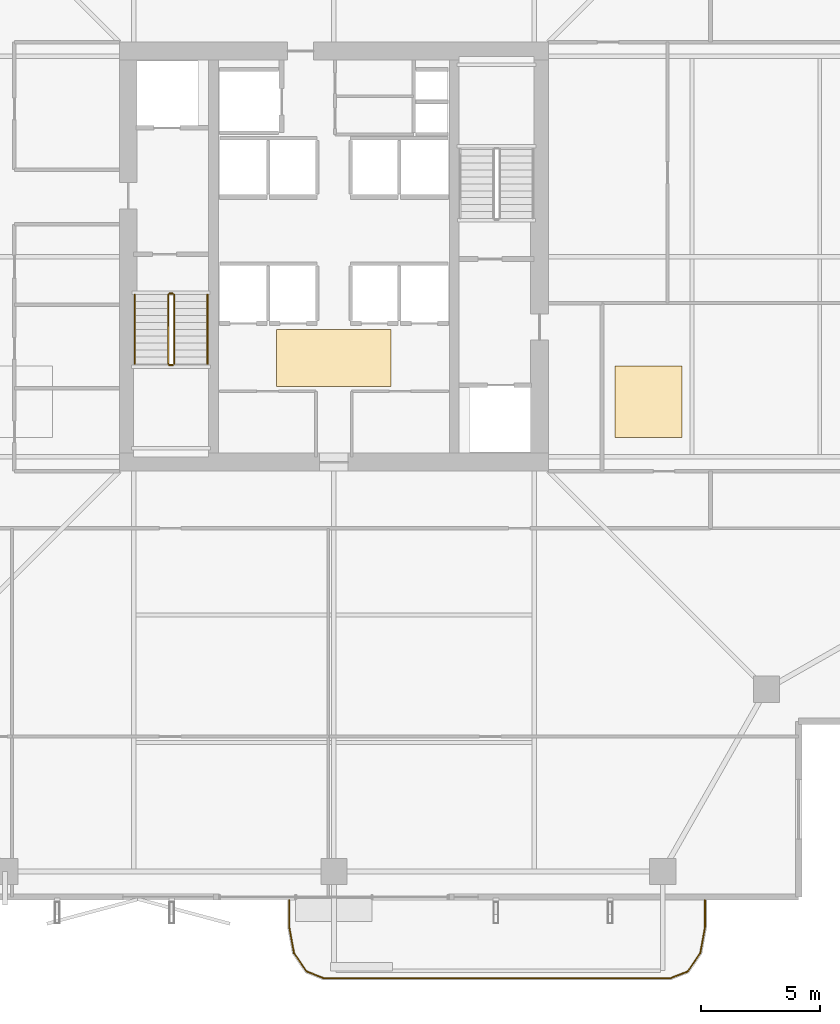
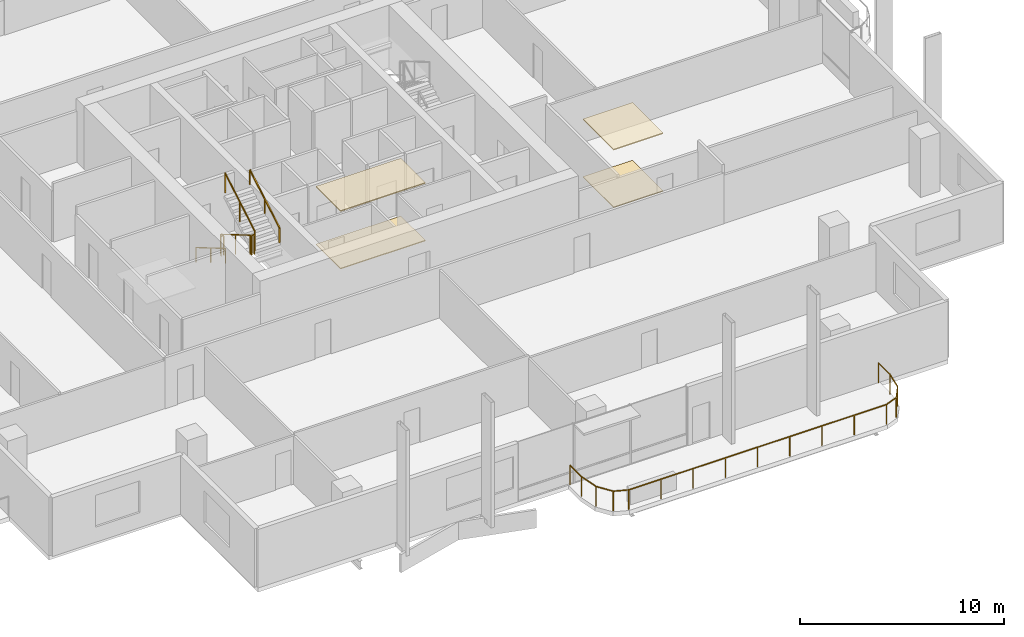
# One storey, part 22 of 24: 7 railings, 4 coverings.
"""IFC4 building model written with IfcOpenShell, lengths in metres."""

from ifc_helpers import new_model, si_unit, direction, frame, origin, origin_2d, place, context, subcontext, project, spatial, polyline, rectangle, outline, extrude, material, layer, layer_set, type_object, element, save


model = new_model("IFC4")

# Units and contexts
model_context = context("Model", 3, precision=1e-05, world=origin(), true_north=direction((0.0, 1.0)))
body_context = subcontext(model_context, "Body", "Model", "MODEL_VIEW")
ifc_project = project(units=[si_unit("LENGTHUNIT", "METRE"), si_unit("AREAUNIT", "SQUARE_METRE"), si_unit("VOLUMEUNIT", "CUBIC_METRE"), si_unit("PLANEANGLEUNIT", "RADIAN"), si_unit("MASSUNIT", "GRAM", prefix="KILO")], contexts=[model_context])

# Site, building, storey
site_placement = place(None, origin())
site = spatial("IfcSite", under=ifc_project, at=site_placement, CompositionType="ELEMENT")
building_placement = place(site_placement, origin())
building = spatial("IfcBuilding", under=site, at=building_placement, Name="Belovzor Exchange Tower", CompositionType="ELEMENT")
storey_placement = place(building_placement, frame((0.0, 0.0, 211.199951171875)))
storey = spatial("IfcBuildingStorey", under=building, at=storey_placement, Name="L52", CompositionType="ELEMENT", Elevation=211.199951171875)

# Railings
ifc_material_1 = material(Name="Stainless Steel Grade 304", Category="steel")
railing_type_1 = type_object("IfcRailingType", Name="Brushed Stainless Steel Stair Handrail 900", PredefinedType="HANDRAIL", material=ifc_material_1)
railing_1_placement = place(storey_placement, frame((20.449951171875, 27.199951171875, 0.17041015625)))
element("IfcRailing", 1, at=railing_1_placement, inside=storey, type_object=railing_type_1, Name="L52 ST-1 stair handrail 1", PredefinedType="HANDRAIL", context=body_context, shape_type="SweptSolid", body=[
    extrude(rectangle(XDim=0.048095703125, YDim=0.048095703125, at=origin_2d()), frame((0.0, 0.0, 0.8759765625), z_axis=(0.0, -0.86209462966, 0.506747323142), x_axis=(1.0, 0.0, 0.0)), (0.0, 0.0, 1.0), 3.36376953125),
    extrude(rectangle(XDim=0.0419921875, YDim=0.0419921875, at=origin_2d()), origin(), (0.0, 0.0, 1.0), 0.851806640625),
    extrude(rectangle(XDim=0.0419921875, YDim=0.0419921875, at=origin_2d()), frame((0.0, -1.449951171875, 0.852294921875)), (0.0, 0.0, 1.0), 0.851806640625),
    extrude(rectangle(XDim=0.0419921875, YDim=0.0419921875, at=origin_2d()), frame((0.0, -2.89990234375, 1.70458984375)), (0.0, 0.0, 1.0), 0.851806640625),
])
railing_2_placement = place(storey_placement, frame((23.5, 24.300048828125, 2.04541015625)))
element("IfcRailing", 2, at=railing_2_placement, inside=storey, type_object=railing_type_1, Name="L52 ST-1 stair handrail 2", PredefinedType="HANDRAIL", context=body_context, shape_type="SweptSolid", body=[
    extrude(rectangle(XDim=0.048095703125, YDim=0.048095703125, at=origin_2d()), frame((0.0, 0.0, 0.8759765625), z_axis=(0.0, 0.86209462966, 0.506747323142), x_axis=(-1.0, 0.0, 0.0)), (0.0, 0.0, 1.0), 3.36376953125),
    extrude(rectangle(XDim=0.0419921875, YDim=0.0419921875, at=origin_2d()), origin(), (0.0, 0.0, 1.0), 0.851806640625),
    extrude(rectangle(XDim=0.0419921875, YDim=0.0419921875, at=origin_2d()), frame((0.0, 1.449951171875, 0.852294921875)), (0.0, 0.0, 1.0), 0.851806640625),
    extrude(rectangle(XDim=0.0419921875, YDim=0.0419921875, at=origin_2d()), frame((0.0, 2.89990234375, 1.70458984375)), (0.0, 0.0, 1.0), 0.851806640625),
])
ifc_material_2 = material(Name="Stainless Steel and Laminated Safety Glass", Category="steel")
railing_type_2 = type_object("IfcRailingType", Name="Laminated Glass & Stainless Steel Balcony Balustrade 1200", PredefinedType="BALUSTRADE", material=ifc_material_2)
railing_3_placement = place(storey_placement, frame((26.929931640625, 1.7900390625, 0.0)))
element("IfcRailing", 3, at=railing_3_placement, inside=storey, type_object=railing_type_2, Name="GR-1 Balcony Balustrade L52 South", PredefinedType="BALUSTRADE", context=body_context, shape_type="SweptSolid", body=[
    extrude(rectangle(XDim=0.048095703125, YDim=0.048095703125, at=origin_2d()), frame((0.0, 0.0, 1.17578125), z_axis=(0.0, -1.0, 0.0), x_axis=(1.0, 0.0, 0.0)), (0.0, 0.0, 1.0), 1.133056640625),
    extrude(rectangle(XDim=0.048095703125, YDim=0.048095703125, at=origin_2d()), frame((0.0, -1.133056640625, 1.17578125), z_axis=(0.180122719713, -0.983644145941, 0.0), x_axis=(0.983644145941, 0.180122719713, 0.0)), (0.0, 0.0, 1.0), 1.09375),
    extrude(rectangle(XDim=0.048095703125, YDim=0.048095703125, at=origin_2d()), frame((0.197021484375, -2.208984375, 1.17578125), z_axis=(0.56294695933, -0.826493025367, 0.0), x_axis=(0.826493025367, 0.56294695933, 0.0)), (0.0, 0.0, 1.0), 0.932861328125),
    extrude(rectangle(XDim=0.048095703125, YDim=0.048095703125, at=origin_2d()), frame((0.72216796875, -2.97998046875, 1.17578125), z_axis=(0.930766990125, -0.365612923861, 0.0), x_axis=(0.365612923861, 0.930766990125, 0.0)), (0.0, 0.0, 1.0), 0.765869140625),
    extrude(rectangle(XDim=0.048095703125, YDim=0.048095703125, at=origin_2d()), frame((1.43505859375, -3.260009765625, 1.17578125), z_axis=(1.0, 0.0, 0.0), x_axis=(0.0, 1.0, 0.0)), (0.0, 0.0, 1.0), 14.570068359375),
    extrude(rectangle(XDim=0.048095703125, YDim=0.048095703125, at=origin_2d()), frame((16.005126953125, -3.260009765625, 1.17578125), z_axis=(0.930766990125, 0.365612923861, 0.0), x_axis=(-0.365612923861, 0.930766990125, 0.0)), (0.0, 0.0, 1.0), 0.765869140625),
    extrude(rectangle(XDim=0.048095703125, YDim=0.048095703125, at=origin_2d()), frame((16.718017578125, -2.97998046875, 1.17578125), z_axis=(0.56294695933, 0.826493025367, 0.0), x_axis=(-0.826493025367, 0.56294695933, 0.0)), (0.0, 0.0, 1.0), 0.932861328125),
    extrude(rectangle(XDim=0.048095703125, YDim=0.048095703125, at=origin_2d()), frame((17.2431640625, -2.208984375, 1.17578125), z_axis=(0.180122719713, 0.983644145941, 0.0), x_axis=(-0.983644145941, 0.180122719713, 0.0)), (0.0, 0.0, 1.0), 1.09375),
    extrude(rectangle(XDim=0.048095703125, YDim=0.048095703125, at=origin_2d()), frame((17.440185546875, -1.133056640625, 1.17578125), z_axis=(0.0, 1.0, 0.0), x_axis=(-1.0, 0.0, 0.0)), (0.0, 0.0, 1.0), 1.133056640625),
    extrude(rectangle(XDim=0.0419921875, YDim=0.0419921875, at=origin_2d()), origin(), (0.0, 0.0, 1.0), 1.15185546875),
    extrude(rectangle(XDim=0.0419921875, YDim=0.0419921875, at=origin_2d()), frame((0.0, -1.133056640625, 0.0)), (0.0, 0.0, 1.0), 1.15185546875),
    extrude(rectangle(XDim=0.0419921875, YDim=0.0419921875, at=origin_2d()), frame((0.197021484375, -2.208984375, 0.0)), (0.0, 0.0, 1.0), 1.15185546875),
    extrude(rectangle(XDim=0.0419921875, YDim=0.0419921875, at=origin_2d()), frame((0.72216796875, -2.97998046875, 0.0)), (0.0, 0.0, 1.0), 1.15185546875),
    extrude(rectangle(XDim=0.0419921875, YDim=0.0419921875, at=origin_2d()), frame((1.43505859375, -3.260009765625, 0.0)), (0.0, 0.0, 1.0), 1.15185546875),
    extrude(rectangle(XDim=0.0419921875, YDim=0.0419921875, at=origin_2d()), frame((3.25634765625, -3.260009765625, 0.0)), (0.0, 0.0, 1.0), 1.15185546875),
    extrude(rectangle(XDim=0.0419921875, YDim=0.0419921875, at=origin_2d()), frame((5.07763671875, -3.260009765625, 0.0)), (0.0, 0.0, 1.0), 1.15185546875),
    extrude(rectangle(XDim=0.0419921875, YDim=0.0419921875, at=origin_2d()), frame((6.89892578125, -3.260009765625, 0.0)), (0.0, 0.0, 1.0), 1.15185546875),
    extrude(rectangle(XDim=0.0419921875, YDim=0.0419921875, at=origin_2d()), frame((8.72021484375, -3.260009765625, 0.0)), (0.0, 0.0, 1.0), 1.15185546875),
    extrude(rectangle(XDim=0.0419921875, YDim=0.0419921875, at=origin_2d()), frame((10.541259765625, -3.260009765625, 0.0)), (0.0, 0.0, 1.0), 1.15185546875),
    extrude(rectangle(XDim=0.0419921875, YDim=0.0419921875, at=origin_2d()), frame((12.362548828125, -3.260009765625, 0.0)), (0.0, 0.0, 1.0), 1.15185546875),
    extrude(rectangle(XDim=0.0419921875, YDim=0.0419921875, at=origin_2d()), frame((14.183837890625, -3.260009765625, 0.0)), (0.0, 0.0, 1.0), 1.15185546875),
    extrude(rectangle(XDim=0.0419921875, YDim=0.0419921875, at=origin_2d()), frame((16.005126953125, -3.260009765625, 0.0)), (0.0, 0.0, 1.0), 1.15185546875),
    extrude(rectangle(XDim=0.0419921875, YDim=0.0419921875, at=origin_2d()), frame((16.718017578125, -2.97998046875, 0.0)), (0.0, 0.0, 1.0), 1.15185546875),
    extrude(rectangle(XDim=0.0419921875, YDim=0.0419921875, at=origin_2d()), frame((17.2431640625, -2.208984375, 0.0)), (0.0, 0.0, 1.0), 1.15185546875),
    extrude(rectangle(XDim=0.0419921875, YDim=0.0419921875, at=origin_2d()), frame((17.440185546875, -1.133056640625, 0.0)), (0.0, 0.0, 1.0), 1.15185546875),
    extrude(rectangle(XDim=0.0419921875, YDim=0.0419921875, at=origin_2d()), frame((17.440185546875, 0.0, 0.0)), (0.0, 0.0, 1.0), 1.15185546875),
])
ifc_material_3 = material(Name="Steel S355", Category="steel")
railing_type_3 = type_object("IfcRailingType", Name="Painted Steel Stairwell Guardrail 1200", PredefinedType="GUARDRAIL", material=ifc_material_3)
railing_4_placement = place(storey_placement, frame((21.85009765625, 27.199951171875, 0.17041015625)))
element("IfcRailing", 4, at=railing_4_placement, inside=storey, type_object=railing_type_3, Name="L52 ST-1 stair guard 1", PredefinedType="GUARDRAIL", context=body_context, shape_type="SweptSolid", body=[
    extrude(rectangle(XDim=0.048095703125, YDim=0.048095703125, at=origin_2d()), frame((0.0, 0.0, 1.17578125), z_axis=(0.0, -0.86209462966, 0.506747323142), x_axis=(1.0, 0.0, 0.0)), (0.0, 0.0, 1.0), 3.36376953125),
    extrude(rectangle(XDim=0.0419921875, YDim=0.0419921875, at=origin_2d()), origin(), (0.0, 0.0, 1.0), 1.15185546875),
    extrude(rectangle(XDim=0.0419921875, YDim=0.0419921875, at=origin_2d()), frame((0.0, -1.449951171875, 0.852294921875)), (0.0, 0.0, 1.0), 1.15185546875),
    extrude(rectangle(XDim=0.0419921875, YDim=0.0419921875, at=origin_2d()), frame((0.0, -2.89990234375, 1.70458984375)), (0.0, 0.0, 1.0), 1.15185546875),
])
railing_5_placement = place(storey_placement, frame((21.89990234375, 24.25, 1.875)))
element("IfcRailing", 5, at=railing_5_placement, inside=storey, type_object=railing_type_3, Name="L52 ST-1 stair guard 2", PredefinedType="GUARDRAIL", context=body_context, shape_type="SweptSolid", body=[
    extrude(rectangle(XDim=0.048095703125, YDim=0.048095703125, at=origin_2d()), frame((0.0, 0.0, 1.17578125), z_axis=(1.0, 0.0, 0.0), x_axis=(0.0, 1.0, 0.0)), (0.0, 0.0, 1.0), 0.150146484375),
    extrude(rectangle(XDim=0.0419921875, YDim=0.0419921875, at=origin_2d()), origin(), (0.0, 0.0, 1.0), 1.15185546875),
    extrude(rectangle(XDim=0.0419921875, YDim=0.0419921875, at=origin_2d()), frame((0.150146484375, 0.0, 0.0)), (0.0, 0.0, 1.0), 1.15185546875),
])
railing_6_placement = place(storey_placement, frame((22.10009765625, 24.300048828125, 2.04541015625)))
element("IfcRailing", 6, at=railing_6_placement, inside=storey, type_object=railing_type_3, Name="L52 ST-1 stair guard 3", PredefinedType="GUARDRAIL", context=body_context, shape_type="SweptSolid", body=[
    extrude(rectangle(XDim=0.048095703125, YDim=0.048095703125, at=origin_2d()), frame((0.0, 0.0, 1.17578125), z_axis=(0.0, 0.86209462966, 0.506747323142), x_axis=(-1.0, 0.0, 0.0)), (0.0, 0.0, 1.0), 3.36376953125),
    extrude(rectangle(XDim=0.0419921875, YDim=0.0419921875, at=origin_2d()), origin(), (0.0, 0.0, 1.0), 1.15185546875),
    extrude(rectangle(XDim=0.0419921875, YDim=0.0419921875, at=origin_2d()), frame((0.0, 1.449951171875, 0.852294921875)), (0.0, 0.0, 1.0), 1.15185546875),
    extrude(rectangle(XDim=0.0419921875, YDim=0.0419921875, at=origin_2d()), frame((0.0, 2.89990234375, 1.70458984375)), (0.0, 0.0, 1.0), 1.15185546875),
])
railing_7_placement = place(storey_placement, frame((21.89990234375, 27.25, 0.0)))
element("IfcRailing", 7, at=railing_7_placement, inside=storey, type_object=railing_type_3, Name="L52 ST-1 stair guard 4", PredefinedType="GUARDRAIL", context=body_context, shape_type="SweptSolid", body=[
    extrude(rectangle(XDim=0.048095703125, YDim=0.048095703125, at=origin_2d()), frame((0.0, 0.0, 1.17578125), z_axis=(1.0, 0.0, 0.0), x_axis=(0.0, 1.0, 0.0)), (0.0, 0.0, 1.0), 0.150146484375),
    extrude(rectangle(XDim=0.0419921875, YDim=0.0419921875, at=origin_2d()), origin(), (0.0, 0.0, 1.0), 1.15185546875),
    extrude(rectangle(XDim=0.0419921875, YDim=0.0419921875, at=origin_2d()), frame((0.150146484375, 0.0, 0.0)), (0.0, 0.0, 1.0), 1.15185546875),
])

# Coverings
ifc_material_4 = material(Name="Perforated Powder-Coated Aluminium", Category="aluminium")
ifc_layer_1 = layer(ifc_material_4, 0.06005859375)
ifc_layer_set_1 = layer_set([ifc_layer_1], Name="Perforated Powder-Coated Aluminium")
covering_type_1 = type_object("IfcCoveringType", Name="Perforated Acoustic Metal Tile Suspended Ceiling 60", PredefinedType="CEILING", material=ifc_layer_set_1)
covering_1_placement = place(storey_placement, frame((0.0, 0.0, 3.43994140625)))
element("IfcCovering", 8, at=covering_1_placement, inside=storey, type_object=covering_type_1, Name="CLG-AC60 Suspended Ceiling CLG-L52-LOB", PredefinedType="CEILING", context=body_context, shape_type="SweptSolid", body=[
    extrude(outline(polyline([(26.39990234375, 23.35009765625), (31.199951171875, 23.35009765625), (31.199951171875, 25.75), (26.39990234375, 25.75), (26.39990234375, 23.35009765625)])), origin(), (0.0, 0.0, 1.0), 0.06005859375),
])
covering_2_placement = place(storey_placement, frame((0.0, 0.0, 3.43994140625)))
element("IfcCovering", 9, at=covering_2_placement, inside=storey, type_object=covering_type_1, Name="CLG-AC60 Suspended Ceiling CLG-L52-Z0", PredefinedType="CEILING", context=body_context, shape_type="SweptSolid", body=[
    extrude(outline(polyline([(40.60009765625, 21.199951171875), (43.39990234375, 21.199951171875), (43.39990234375, 24.199951171875), (40.60009765625, 24.199951171875), (40.60009765625, 21.199951171875)])), origin(), (0.0, 0.0, 1.0), 0.06005859375),
])
ifc_material_5 = material(Name="Polished Natural Granite Tile", Category="masonry")
ifc_layer_2 = layer(ifc_material_5, 0.050048828125)
ifc_layer_set_2 = layer_set([ifc_layer_2], Name="Polished Natural Granite Tile")
covering_type_2 = type_object("IfcCoveringType", Name="Polished Karelian Granite & Raised Access Floor Finish 50", PredefinedType="FLOORING", material=ifc_layer_set_2)
covering_3_placement = place(storey_placement, origin())
element("IfcCovering", 10, at=covering_3_placement, inside=storey, type_object=covering_type_2, Name="FLR-GR50 Floor Finish FLR-L52-LOB", PredefinedType="FLOORING", context=body_context, shape_type="SweptSolid", body=[
    extrude(outline(polyline([(26.39990234375, 23.35009765625), (31.199951171875, 23.35009765625), (31.199951171875, 25.75), (26.39990234375, 25.75), (26.39990234375, 23.35009765625)])), origin(), (0.0, 0.0, 1.0), 0.050048828125),
])
covering_4_placement = place(storey_placement, origin())
element("IfcCovering", 11, at=covering_4_placement, inside=storey, type_object=covering_type_2, Name="FLR-GR50 Floor Finish FLR-L52-Z0", PredefinedType="FLOORING", context=body_context, shape_type="SweptSolid", body=[
    extrude(outline(polyline([(40.60009765625, 21.199951171875), (43.39990234375, 21.199951171875), (43.39990234375, 24.199951171875), (40.60009765625, 24.199951171875), (40.60009765625, 21.199951171875)])), origin(), (0.0, 0.0, 1.0), 0.050048828125),
])

save(model, "model.ifc")
